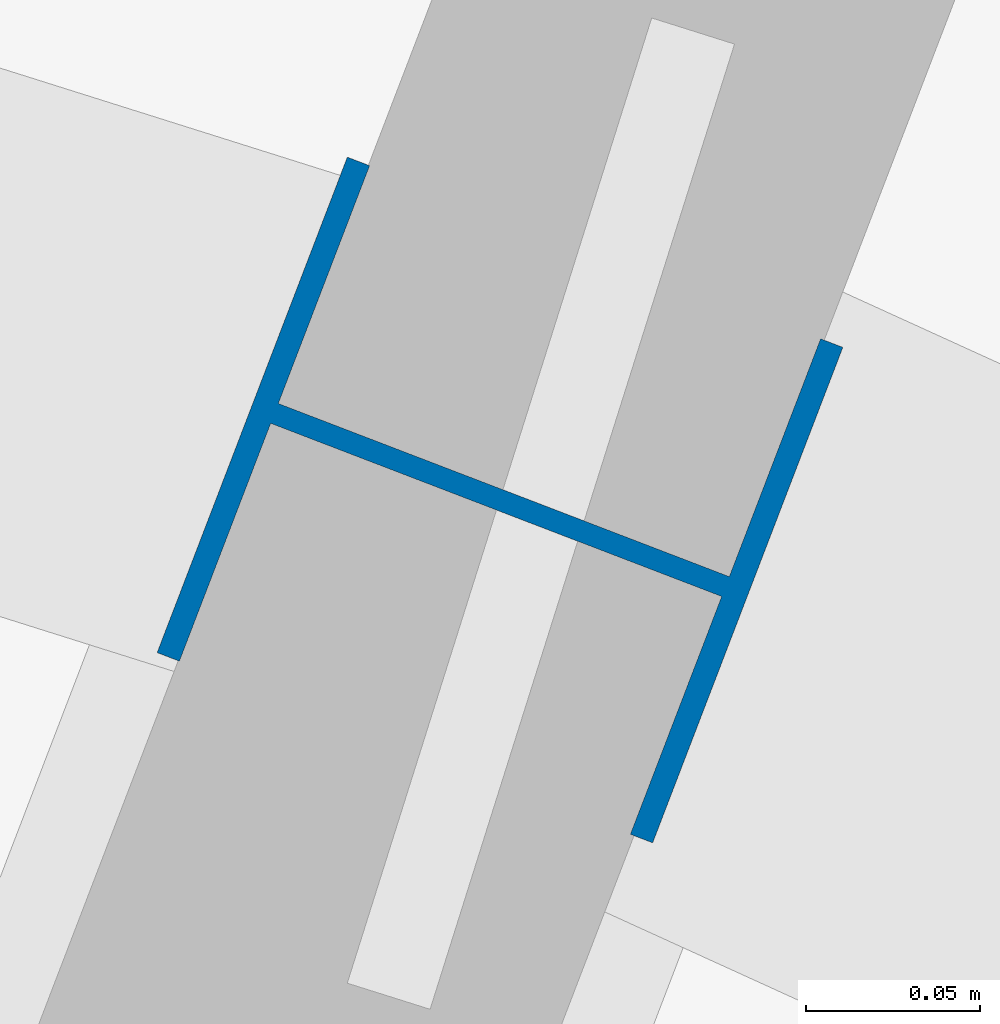
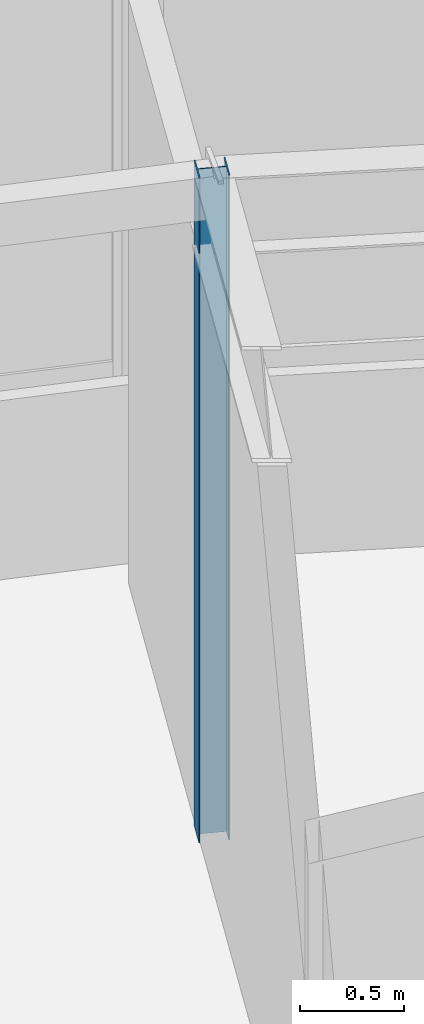
# One storey, part 4 of 26: 1 column.
"""IFC4 building model written with IfcOpenShell, lengths in metres."""

import ifcopenshell
import ifcopenshell.guid

model = None  # the IFC model being written
_history = None  # IfcOwnerHistory: only IFC2X3 demands one
_inside = {}  # id of a spatial element -> (the spatial element, [elements in it])
_under = {}  # id of a project, library or spatial element -> (it, [spatial elements below it])
_declared = {}  # id of a project -> (the project, [libraries it declares])
_typed = {}  # id of a type object -> (the type object, [elements of that type])
_made_of = {}  # id of a material, layer set ... -> (it, [elements and type objects made of it])


def new_model(schema):
    """Start an empty IFC model of exactly this schema.

    Asked for "IFC4X3", IfcOpenShell would pick the latest addendum, in which some entities
    have other attributes; the version numbers below select the first issue.
    IFC2X3 requires an IfcOwnerHistory on every rooted entity: one is made here for all.
    """
    global model, _history
    if schema == "IFC4X3":
        model = ifcopenshell.file(schema_version=(4, 3, 0, 0))
    else:
        model = ifcopenshell.file(schema=schema)
    _inside.clear()
    _under.clear()
    _declared.clear()
    _typed.clear()
    _made_of.clear()
    _history = None
    if model.schema == "IFC2X3":
        org = make("IfcOrganization", Name="unknown")
        user = make(
            "IfcPersonAndOrganization",
            ThePerson=make("IfcPerson", FamilyName="unknown"),
            TheOrganization=org,
        )
        app = make(
            "IfcApplication",
            ApplicationDeveloper=org,
            Version="unknown",
            ApplicationFullName="unknown",
            ApplicationIdentifier="unknown",
        )
        _history = make(
            "IfcOwnerHistory",
            OwningUser=user,
            OwningApplication=app,
            ChangeAction="ADDED",
            CreationDate=0,
        )
    return model


def make(cls, **values):
    """One entity of the class cls with the attributes given. An attribute that is None is left unset."""
    return model.create_entity(
        cls, **{name: value for name, value in values.items() if value is not None}
    )


def rooted(cls, **values):
    """An entity with a GlobalId (a new one), such as an element, a storey or a relation."""
    return make(cls, GlobalId=ifcopenshell.guid.new(), OwnerHistory=_history, **values)


def si_unit(unit_type, name, prefix=None):
    """IfcSIUnit, for example si_unit("LENGTHUNIT", "METRE", prefix="MILLI")."""
    return make("IfcSIUnit", UnitType=unit_type, Prefix=prefix, Name=name)


def assignment(units):
    """IfcUnitAssignment: the units of a project."""
    return None if units is None else make("IfcUnitAssignment", Units=units)


def point(xyz):
    """IfcCartesianPoint."""
    return None if xyz is None else make("IfcCartesianPoint", Coordinates=xyz)


def direction(xyz):
    """IfcDirection."""
    return None if xyz is None else make("IfcDirection", DirectionRatios=xyz)


def frame(location, z_axis=None, x_axis=None):
    """IfcAxis2Placement3D, a coordinate frame: its origin and axes. An axis left out is left unset."""
    return make(
        "IfcAxis2Placement3D",
        Location=point(location),
        Axis=direction(z_axis),
        RefDirection=direction(x_axis),
    )


def frame_2d(location, x_axis=None):
    """IfcAxis2Placement2D, a coordinate frame in the plane: its origin and x axis."""
    return make(
        "IfcAxis2Placement2D", Location=point(location), RefDirection=direction(x_axis)
    )


def origin():
    """The frame at (0, 0, 0) with its axes left unset."""
    return frame((0.0, 0.0, 0.0))


def origin_2d():
    """The frame at (0, 0) in the plane with its x axis left unset."""
    return frame_2d((0.0, 0.0))


def place(relative_to, where):
    """IfcLocalPlacement: puts the frame where relative to a parent placement (None: the world)."""
    return make(
        "IfcLocalPlacement", PlacementRelTo=relative_to, RelativePlacement=where
    )


def context(
    kind, dimensions, precision=None, world=None, true_north=None, identifier=None
):
    """IfcGeometricRepresentationContext, for example the 3D "Model" context."""
    return make(
        "IfcGeometricRepresentationContext",
        ContextIdentifier=identifier,
        ContextType=kind,
        CoordinateSpaceDimension=dimensions,
        Precision=precision,
        WorldCoordinateSystem=world,
        TrueNorth=true_north,
    )


def subcontext(parent, identifier, kind, view, scale=None):
    """IfcGeometricRepresentationSubContext, for example "Body" below "Model"."""
    return make(
        "IfcGeometricRepresentationSubContext",
        ContextIdentifier=identifier,
        ContextType=kind,
        ParentContext=parent,
        TargetScale=scale,
        TargetView=view,
    )


def project(units=None, contexts=None):
    """IfcProject with its units and contexts."""
    return rooted(
        "IfcProject",
        Name="project",
        RepresentationContexts=contexts,
        UnitsInContext=assignment(units),
    )


def spatial(cls, under=None, at=None, **own):
    """A site, building, storey or space (cls), placed at a placement, below another one or the project."""
    s = rooted(cls, ObjectPlacement=at, **own)
    if under is not None:
        _under.setdefault(under.id(), (under, []))[1].append(s)
    return s


def profile(cls, at=None, kind="AREA", **sizes):
    """A parametric profile (cls). Its sizes go by their IFC names, for example OverallWidth=200.0."""
    return make(cls, ProfileType=kind, Position=at, **sizes)


def i_section(**sizes):
    """IfcIShapeProfileDef."""
    return profile("IfcIShapeProfileDef", **sizes)


def extrude(swept, where, along, depth):
    """IfcExtrudedAreaSolid: the profile swept, set in the frame where, extruded along a direction by depth."""
    return make(
        "IfcExtrudedAreaSolid",
        SweptArea=swept,
        Position=where,
        ExtrudedDirection=direction(along),
        Depth=depth,
    )


def shape(context_of_items, identifier, shape_type, items):
    """IfcShapeRepresentation: the items that make up one representation, for example the "Body"."""
    return make(
        "IfcShapeRepresentation",
        ContextOfItems=context_of_items,
        RepresentationIdentifier=identifier,
        RepresentationType=shape_type,
        Items=items,
    )


def material(Name=None, Category=None):
    """IfcMaterial."""
    return make("IfcMaterial", Name=Name, Category=Category)


def material_profile(
    of_material, cross_section, Name=None, Category=None, Priority=None
):
    """IfcMaterialProfile: a cross section and its material."""
    return make(
        "IfcMaterialProfile",
        Name=Name,
        Material=of_material,
        Profile=cross_section,
        Priority=Priority,
        Category=Category,
    )


def profile_set(profiles, Name=None, composite=None):
    """IfcMaterialProfileSet."""
    return make(
        "IfcMaterialProfileSet",
        Name=Name,
        MaterialProfiles=profiles,
        CompositeProfile=composite,
    )


def made_of(thing, what):
    """Note that an element or type object is made of a material, layer set ...; save() writes the relation."""
    if what is not None:
        _made_of.setdefault(what.id(), (what, []))[1].append(thing)
    return thing


def type_object(cls, material=None, **own):
    """A type object (cls), such as IfcWallType, which elements share."""
    return made_of(rooted(cls, **own), material)


def element(
    cls,
    number,
    at=None,
    inside=None,
    cuts=None,
    type_object=None,
    material=None,
    context=None,
    identifier="Body",
    shape_type=None,
    held_by="IfcProductDefinitionShape",
    body=None,
    shapes=None,
    **own,
):
    """One element of the class cls, such as IfcWall. Its Tag is "e" and its number.

    at: its placement. inside: the storey or other place that contains it. cuts: it is an
    opening in that element (IfcRelVoidsElement). A single representation is given by context,
    identifier, shape_type and body (its items); several are given by shapes. held_by: the class
    of the entity that holds the representations. save() writes the other relations.
    """
    e = rooted(cls, Tag="e%d" % number, ObjectPlacement=at, **own)
    if body is not None:
        shapes = [shape(context, identifier, shape_type, body)]
    if shapes is not None:
        e.Representation = make(held_by, Representations=shapes)
    if inside is not None:
        _inside.setdefault(inside.id(), (inside, []))[1].append(e)
    if cuts is not None:
        rooted(
            "IfcRelVoidsElement", RelatingBuildingElement=cuts, RelatedOpeningElement=e
        )
    if type_object is not None:
        _typed.setdefault(type_object.id(), (type_object, []))[1].append(e)
    return made_of(e, material)


def aggregate(whole, parts):
    """IfcRelAggregates: a whole, such as a stair, and the parts it consists of."""
    return rooted("IfcRelAggregates", RelatingObject=whole, RelatedObjects=parts)


def save(model, path):
    """Write the relations noted so far, then the file.

    IfcRelAggregates (storeys below a building ...), IfcRelContainedInSpatialStructure (elements
    in a storey), IfcRelDefinesByType, IfcRelAssociatesMaterial and IfcRelDeclares: one each for
    every whole, place, type object, material and project.
    """
    for whole, parts in _under.values():
        aggregate(whole, parts)
    for where, things in _inside.values():
        rooted(
            "IfcRelContainedInSpatialStructure",
            RelatedElements=things,
            RelatingStructure=where,
        )
    for kind, things in _typed.values():
        rooted("IfcRelDefinesByType", RelatedObjects=things, RelatingType=kind)
    for what, things in _made_of.values():
        rooted("IfcRelAssociatesMaterial", RelatedObjects=things, RelatingMaterial=what)
    for by, libraries in _declared.values():
        rooted("IfcRelDeclares", RelatingContext=by, RelatedDefinitions=libraries)
    model.write(path)


model = new_model("IFC4")

# Units and contexts
model_context = context("Model", 3, precision=1e-05, world=origin(), true_north=direction((0.0, 1.0)))
body_context = subcontext(model_context, "Body", "Model", "MODEL_VIEW")
ifc_project = project(units=[si_unit("LENGTHUNIT", "METRE"), si_unit("AREAUNIT", "SQUARE_METRE"), si_unit("VOLUMEUNIT", "CUBIC_METRE"), si_unit("PLANEANGLEUNIT", "RADIAN"), si_unit("MASSUNIT", "GRAM", prefix="KILO")], contexts=[model_context])

# Site, building, storey
site_placement = place(None, origin())
site = spatial("IfcSite", under=ifc_project, at=site_placement, CompositionType="ELEMENT")
building_placement = place(site_placement, origin())
building = spatial("IfcBuilding", under=site, at=building_placement, Name="Tarnwether General Hospital", CompositionType="ELEMENT")
storey_placement = place(building_placement, frame((0.0, 0.0, 30.0)))
storey = spatial("IfcBuildingStorey", under=building, at=storey_placement, Name="L07", CompositionType="ELEMENT", Elevation=30.0)

# Column
ifc_material = material(Name="Steel Grade 350 (350 MPa)", Category="steel")
ifc_material_profile = material_profile(ifc_material, i_section(OverallWidth=0.152099609375, OverallDepth=0.152099609375, WebThickness=0.006103515625, FlangeThickness=0.0068359375, at=origin_2d()), Name="150UC23.4")
ifc_profile_set = profile_set([ifc_material_profile], Name="Steel Grade 350 (350 MPa)")
column_type = type_object("IfcColumnType", Name="COL-32", PredefinedType="COLUMN", material=ifc_profile_set)
column_placement = place(storey_placement, frame((113.215087890625, 118.26806640625, 0.0), z_axis=(0.0, 0.0, 1.0), x_axis=(0.358367949545, 0.933580426497, 0.0)))
element("IfcColumn", 1, at=column_placement, inside=storey, type_object=column_type, Name="Column COLG-L07-11322_11827", PredefinedType="COLUMN", context=body_context, shape_type="SweptSolid", body=[
    extrude(i_section(OverallWidth=0.152099609375, OverallDepth=0.152099609375, WebThickness=0.006103515625, FlangeThickness=0.0068359375, at=origin_2d()), origin(), (0.0, 0.0, 1.0), 3.89990234375),
])

save(model, "model.ifc")
